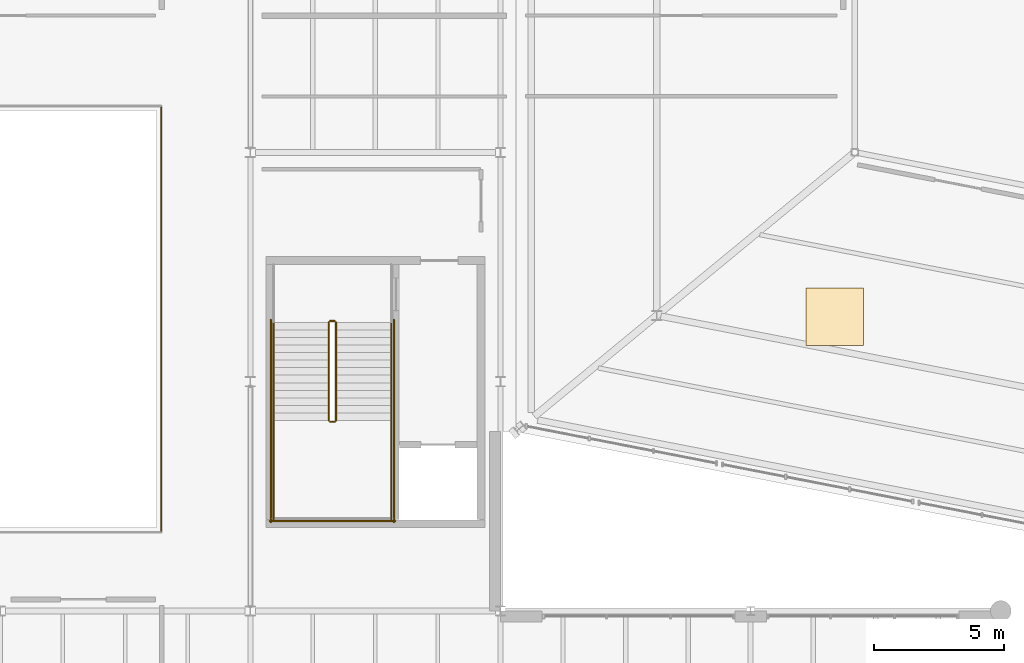
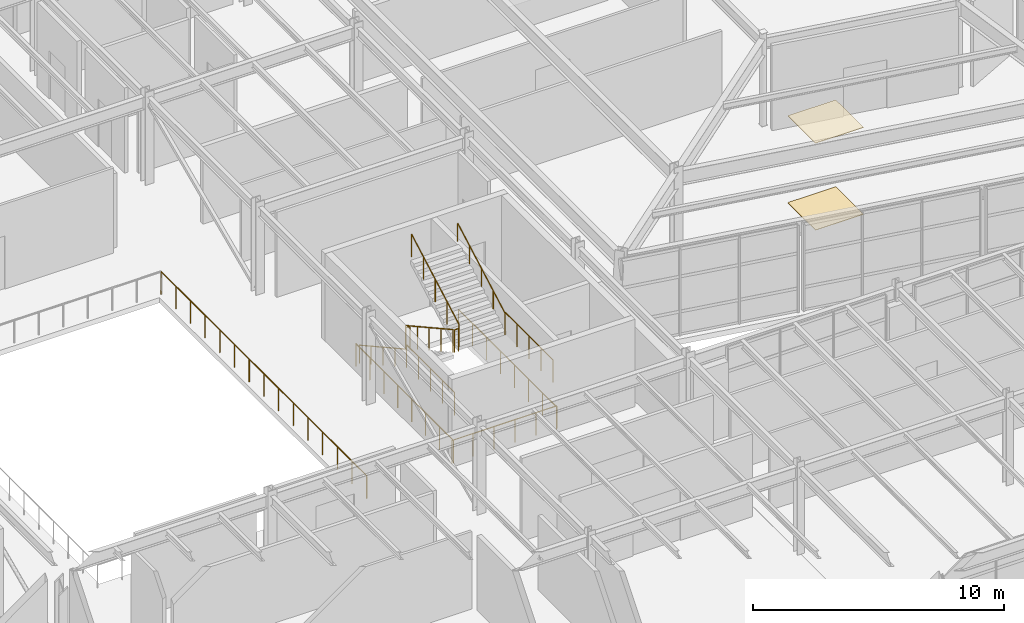
# One storey, part 81 of 88: 12 railings, 2 coverings.
"""IFC4 building model written with IfcOpenShell, lengths in metres."""

from ifc_helpers import new_model, si_unit, direction, frame, origin, origin_2d, place, context, subcontext, project, spatial, rectangle, circle, extrude, material, layer, layer_set, type_object, element, save


model = new_model("IFC4")

# Units and contexts
model_context = context("Model", 3, precision=1e-05, world=origin(), true_north=direction((0.0, 1.0)))
body_context = subcontext(model_context, "Body", "Model", "MODEL_VIEW")
ifc_project = project(units=[si_unit("LENGTHUNIT", "METRE"), si_unit("AREAUNIT", "SQUARE_METRE"), si_unit("VOLUMEUNIT", "CUBIC_METRE"), si_unit("PLANEANGLEUNIT", "RADIAN"), si_unit("MASSUNIT", "GRAM", prefix="KILO")], contexts=[model_context])

# Site, building, storey
site_placement = place(None, origin())
site = spatial("IfcSite", under=ifc_project, at=site_placement, CompositionType="ELEMENT")
building_placement = place(site_placement, origin())
building = spatial("IfcBuilding", under=site, at=building_placement, Name="Sarnbrook Museum", CompositionType="ELEMENT")
storey_placement = place(building_placement, frame((0.0, 0.0, 10.10009765625)))
storey = spatial("IfcBuildingStorey", under=building, at=storey_placement, Name="L02", CompositionType="ELEMENT", Elevation=10.10009765625)

# Coverings
ifc_material_1 = material(Name="Tasmanian Oak Acoustic Timber", Category="wood")
ifc_layer_1 = layer(ifc_material_1, 0.02490234375)
ifc_layer_set_1 = layer_set([ifc_layer_1], Name="Tasmanian Oak Acoustic Timber")
covering_type_1 = type_object("IfcCoveringType", Name="Ceil_Timber25", PredefinedType="CEILING", material=ifc_layer_set_1)
covering_1_placement = place(storey_placement, frame((132.029052734375, 68.089599609375, 4.21484375), z_axis=(0.0, 0.0, 1.0), x_axis=(1.0, 0.0, 0.0)))
element("IfcCovering", 1, at=covering_1_placement, inside=storey, type_object=covering_type_1, Name="Acoustic Ceiling Baffle Panel L02-27", PredefinedType="CEILING", context=body_context, shape_type="SweptSolid", body=[
    extrude(rectangle(XDim=2.199951171875, YDim=2.199951171875, at=origin_2d()), origin(), (0.0, 0.0, 1.0), 0.02490234375),
])
ifc_layer_2 = layer(ifc_material_1, 0.02197265625)
ifc_layer_set_2 = layer_set([ifc_layer_2], Name="Tasmanian Oak Acoustic Timber")
covering_type_2 = type_object("IfcCoveringType", Name="Floor_Oak22", PredefinedType="FLOORING", material=ifc_layer_set_2)
covering_2_placement = place(storey_placement, frame((132.029052734375, 68.089599609375, 0.0), z_axis=(0.0, 0.0, 1.0), x_axis=(1.0, 0.0, 0.0)))
element("IfcCovering", 2, at=covering_2_placement, inside=storey, type_object=covering_type_2, Name="Gallery Floor Finish Panel L02-27", PredefinedType="FLOORING", context=body_context, shape_type="SweptSolid", body=[
    extrude(rectangle(XDim=2.199951171875, YDim=2.199951171875, at=origin_2d()), origin(), (0.0, 0.0, 1.0), 0.02197265625),
])

# Railings
ifc_material_2 = material(Name="Brushed Stainless Steel Grade 316", Category="steel")
ifc_layer_3 = layer(ifc_material_2, 0.050048828125)
ifc_layer_set_3 = layer_set([ifc_layer_3], Name="Brushed Stainless Steel Grade 316")
railing_type_1 = type_object("IfcRailingType", Name="Guard_Int1120", PredefinedType="BALUSTRADE", material=ifc_layer_set_3)
railing_1_placement = place(storey_placement, frame((112.610107421875, 67.8798828125, 0.16064453125)))
element("IfcRailing", 3, at=railing_1_placement, inside=storey, type_object=railing_type_1, Name="L02 ST1 stair guard 1", PredefinedType="BALUSTRADE", context=body_context, shape_type="SweptSolid", body=[
    extrude(circle(Radius=0.02392578125, at=origin_2d()), frame((0.0, 0.0, 1.09619140625), z_axis=(0.0, -0.874645791573, 0.484762559697), x_axis=(1.0, 0.0, 0.0)), (0.0, 0.0, 1.0), 4.31005859375),
    extrude(circle(Radius=0.02099609375, at=origin_2d()), origin(), (0.0, 0.0, 1.0), 1.072021484375),
    extrude(circle(Radius=0.02099609375, at=origin_2d()), frame((0.0, -0.9423828125, 0.5224609375)), (0.0, 0.0, 1.0), 1.072021484375),
    extrude(circle(Radius=0.02099609375, at=origin_2d()), frame((0.0, -1.884765625, 1.044677734375)), (0.0, 0.0, 1.0), 1.072021484375),
    extrude(circle(Radius=0.02099609375, at=origin_2d()), frame((0.0, -2.827392578125, 1.56689453125)), (0.0, 0.0, 1.0), 1.072021484375),
    extrude(circle(Radius=0.02099609375, at=origin_2d()), frame((0.0, -3.769775390625, 2.08935546875)), (0.0, 0.0, 1.0), 1.072021484375),
])
railing_2_placement = place(storey_placement, frame((112.659912109375, 64.06005859375, 2.25)))
element("IfcRailing", 4, at=railing_2_placement, inside=storey, type_object=railing_type_1, Name="L02 ST1 stair guard 2", PredefinedType="BALUSTRADE", context=body_context, shape_type="SweptSolid", body=[
    extrude(circle(Radius=0.02392578125, at=origin_2d()), frame((0.0, 0.0, 1.09619140625), z_axis=(1.0, 0.0, 0.0), x_axis=(0.0, 1.0, 0.0)), (0.0, 0.0, 1.0), 0.18017578125),
    extrude(circle(Radius=0.02099609375, at=origin_2d()), origin(), (0.0, 0.0, 1.0), 1.072021484375),
    extrude(circle(Radius=0.02099609375, at=origin_2d()), frame((0.18017578125, 0.0, 0.0)), (0.0, 0.0, 1.0), 1.072021484375),
])
for number, where, name in (
    (5, (110.489990234375, 64.110107421875, 2.25), "L02 ST1 stair guard 3"),
    (6, (115.010009765625, 64.110107421875, 2.25), "L02 ST1 stair guard 4"),
):
    element("IfcRailing", number, at=place(storey_placement, frame(where)), inside=storey, type_object=railing_type_1, Name=name, PredefinedType="BALUSTRADE", context=body_context, shape_type="SweptSolid", body=[
        extrude(circle(Radius=0.02392578125, at=origin_2d()), frame((0.0, 0.0, 1.09619140625), z_axis=(0.0, -1.0, 0.0), x_axis=(1.0, 0.0, 0.0)), (0.0, 0.0, 1.0), 3.81005859375),
        extrude(circle(Radius=0.02099609375, at=origin_2d()), origin(), (0.0, 0.0, 1.0), 1.072021484375),
        extrude(circle(Radius=0.02099609375, at=origin_2d()), frame((0.0, -0.95263671875, 0.0)), (0.0, 0.0, 1.0), 1.072021484375),
        extrude(circle(Radius=0.02099609375, at=origin_2d()), frame((0.0, -1.905029296875, 0.0)), (0.0, 0.0, 1.0), 1.072021484375),
        extrude(circle(Radius=0.02099609375, at=origin_2d()), frame((0.0, -2.857421875, 0.0)), (0.0, 0.0, 1.0), 1.072021484375),
        extrude(circle(Radius=0.02099609375, at=origin_2d()), frame((0.0, -3.81005859375, 0.0)), (0.0, 0.0, 1.0), 1.072021484375),
    ])
railing_3_placement = place(storey_placement, frame((112.889892578125, 64.110107421875, 2.41064453125)))
element("IfcRailing", 7, at=railing_3_placement, inside=storey, type_object=railing_type_1, Name="L02 ST1 stair guard 6", PredefinedType="BALUSTRADE", context=body_context, shape_type="SweptSolid", body=[
    extrude(circle(Radius=0.02392578125, at=origin_2d()), frame((0.0, 0.0, 1.09619140625), z_axis=(0.0, 0.874645791573, 0.484762559697), x_axis=(-1.0, 0.0, 0.0)), (0.0, 0.0, 1.0), 4.31005859375),
    extrude(circle(Radius=0.02099609375, at=origin_2d()), origin(), (0.0, 0.0, 1.0), 1.072021484375),
    extrude(circle(Radius=0.02099609375, at=origin_2d()), frame((0.0, 0.9423828125, 0.5224609375)), (0.0, 0.0, 1.0), 1.072021484375),
    extrude(circle(Radius=0.02099609375, at=origin_2d()), frame((0.0, 1.884765625, 1.044677734375)), (0.0, 0.0, 1.0), 1.072021484375),
    extrude(circle(Radius=0.02099609375, at=origin_2d()), frame((0.0, 2.827392578125, 1.56689453125)), (0.0, 0.0, 1.0), 1.072021484375),
    extrude(circle(Radius=0.02099609375, at=origin_2d()), frame((0.0, 3.769775390625, 2.08935546875)), (0.0, 0.0, 1.0), 1.072021484375),
])
railing_4_placement = place(storey_placement, frame((112.659912109375, 67.929931640625, 0.0)))
element("IfcRailing", 8, at=railing_4_placement, inside=storey, type_object=railing_type_1, Name="L02 ST1 stair guard 7", PredefinedType="BALUSTRADE", context=body_context, shape_type="SweptSolid", body=[
    extrude(circle(Radius=0.02392578125, at=origin_2d()), frame((0.0, 0.0, 1.09619140625), z_axis=(1.0, 0.0, 0.0), x_axis=(0.0, 1.0, 0.0)), (0.0, 0.0, 1.0), 0.18017578125),
    extrude(circle(Radius=0.02099609375, at=origin_2d()), origin(), (0.0, 0.0, 1.0), 1.072021484375),
    extrude(circle(Radius=0.02099609375, at=origin_2d()), frame((0.18017578125, 0.0, 0.0)), (0.0, 0.0, 1.0), 1.072021484375),
])
for number, where, name in (
    (9, (110.389892578125, 67.97998046875, 0.0), "L02 ST1 stair guard 10"),
    (10, (115.110107421875, 67.97998046875, 0.0), "L02 ST1 stair guard 11"),
):
    element("IfcRailing", number, at=place(storey_placement, frame(where)), inside=storey, type_object=railing_type_1, Name=name, PredefinedType="BALUSTRADE", context=body_context, shape_type="SweptSolid", body=[
        extrude(circle(Radius=0.02392578125, at=origin_2d()), frame((0.0, 0.0, 1.09619140625), z_axis=(0.0, -1.0, 0.0), x_axis=(1.0, 0.0, 0.0)), (0.0, 0.0, 1.0), 7.780029296875),
        extrude(circle(Radius=0.02099609375, at=origin_2d()), origin(), (0.0, 0.0, 1.0), 1.072021484375),
        extrude(circle(Radius=0.02099609375, at=origin_2d()), frame((0.0, -1.111328125, 0.0)), (0.0, 0.0, 1.0), 1.072021484375),
        extrude(circle(Radius=0.02099609375, at=origin_2d()), frame((0.0, -2.222900390625, 0.0)), (0.0, 0.0, 1.0), 1.072021484375),
        extrude(circle(Radius=0.02099609375, at=origin_2d()), frame((0.0, -3.334228515625, 0.0)), (0.0, 0.0, 1.0), 1.072021484375),
        extrude(circle(Radius=0.02099609375, at=origin_2d()), frame((0.0, -4.44580078125, 0.0)), (0.0, 0.0, 1.0), 1.072021484375),
        extrude(circle(Radius=0.02099609375, at=origin_2d()), frame((0.0, -5.55712890625, 0.0)), (0.0, 0.0, 1.0), 1.072021484375),
        extrude(circle(Radius=0.02099609375, at=origin_2d()), frame((0.0, -6.668701171875, 0.0)), (0.0, 0.0, 1.0), 1.072021484375),
        extrude(circle(Radius=0.02099609375, at=origin_2d()), frame((0.0, -7.780029296875, 0.0)), (0.0, 0.0, 1.0), 1.072021484375),
    ])
railing_5_placement = place(storey_placement, frame((110.340087890625, 60.25, 0.0)))
element("IfcRailing", 11, at=railing_5_placement, inside=storey, type_object=railing_type_1, Name="L02 ST1 stair guard 12", PredefinedType="BALUSTRADE", context=body_context, shape_type="SweptSolid", body=[
    extrude(circle(Radius=0.02392578125, at=origin_2d()), frame((0.0, 0.0, 1.09619140625), z_axis=(1.0, 0.0, 0.0), x_axis=(0.0, 1.0, 0.0)), (0.0, 0.0, 1.0), 4.81982421875),
    extrude(circle(Radius=0.02099609375, at=origin_2d()), origin(), (0.0, 0.0, 1.0), 1.072021484375),
    extrude(circle(Radius=0.02099609375, at=origin_2d()), frame((0.9638671875, 0.0, 0.0)), (0.0, 0.0, 1.0), 1.072021484375),
    extrude(circle(Radius=0.02099609375, at=origin_2d()), frame((1.927978515625, 0.0, 0.0)), (0.0, 0.0, 1.0), 1.072021484375),
    extrude(circle(Radius=0.02099609375, at=origin_2d()), frame((2.891845703125, 0.0, 0.0)), (0.0, 0.0, 1.0), 1.072021484375),
    extrude(circle(Radius=0.02099609375, at=origin_2d()), frame((3.85595703125, 0.0, 0.0)), (0.0, 0.0, 1.0), 1.072021484375),
    extrude(circle(Radius=0.02099609375, at=origin_2d()), frame((4.81982421875, 0.0, 0.0)), (0.0, 0.0, 1.0), 1.072021484375),
])
railing_6_placement = place(storey_placement, frame((106.179931640625, 59.820068359375, 0.0)))
element("IfcRailing", 12, at=railing_6_placement, inside=storey, type_object=railing_type_1, Name="Atrium Gallery Balustrade L02-2", PredefinedType="BALUSTRADE", context=body_context, shape_type="SweptSolid", body=[
    extrude(circle(Radius=0.02392578125, at=origin_2d()), frame((0.0, 0.0, 1.09619140625), z_axis=(0.0, 1.0, 0.0), x_axis=(-1.0, 0.0, 0.0)), (0.0, 0.0, 1.0), 16.35986328125),
    extrude(circle(Radius=0.02099609375, at=origin_2d()), origin(), (0.0, 0.0, 1.0), 1.072021484375),
    extrude(circle(Radius=0.02099609375, at=origin_2d()), frame((0.0, 1.16845703125, 0.0)), (0.0, 0.0, 1.0), 1.072021484375),
    extrude(circle(Radius=0.02099609375, at=origin_2d()), frame((0.0, 2.337158203125, 0.0)), (0.0, 0.0, 1.0), 1.072021484375),
    extrude(circle(Radius=0.02099609375, at=origin_2d()), frame((0.0, 3.505615234375, 0.0)), (0.0, 0.0, 1.0), 1.072021484375),
    extrude(circle(Radius=0.02099609375, at=origin_2d()), frame((0.0, 4.67431640625, 0.0)), (0.0, 0.0, 1.0), 1.072021484375),
    extrude(circle(Radius=0.02099609375, at=origin_2d()), frame((0.0, 5.8427734375, 0.0)), (0.0, 0.0, 1.0), 1.072021484375),
    extrude(circle(Radius=0.02099609375, at=origin_2d()), frame((0.0, 7.011474609375, 0.0)), (0.0, 0.0, 1.0), 1.072021484375),
    extrude(circle(Radius=0.02099609375, at=origin_2d()), frame((0.0, 8.179931640625, 0.0)), (0.0, 0.0, 1.0), 1.072021484375),
    extrude(circle(Radius=0.02099609375, at=origin_2d()), frame((0.0, 9.348388671875, 0.0)), (0.0, 0.0, 1.0), 1.072021484375),
    extrude(circle(Radius=0.02099609375, at=origin_2d()), frame((0.0, 10.51708984375, 0.0)), (0.0, 0.0, 1.0), 1.072021484375),
    extrude(circle(Radius=0.02099609375, at=origin_2d()), frame((0.0, 11.685546875, 0.0)), (0.0, 0.0, 1.0), 1.072021484375),
    extrude(circle(Radius=0.02099609375, at=origin_2d()), frame((0.0, 12.854248046875, 0.0)), (0.0, 0.0, 1.0), 1.072021484375),
    extrude(circle(Radius=0.02099609375, at=origin_2d()), frame((0.0, 14.022705078125, 0.0)), (0.0, 0.0, 1.0), 1.072021484375),
    extrude(circle(Radius=0.02099609375, at=origin_2d()), frame((0.0, 15.19140625, 0.0)), (0.0, 0.0, 1.0), 1.072021484375),
    extrude(circle(Radius=0.02099609375, at=origin_2d()), frame((0.0, 16.35986328125, 0.0)), (0.0, 0.0, 1.0), 1.072021484375),
])
ifc_layer_4 = layer(ifc_material_2, 0.048095703125)
ifc_layer_set_4 = layer_set([ifc_layer_4], Name="Brushed Stainless Steel Grade 316")
railing_type_2 = type_object("IfcRailingType", Name="Handrail_920", PredefinedType="HANDRAIL", material=ifc_layer_set_4)
railing_7_placement = place(storey_placement, frame((110.489990234375, 67.8798828125, 0.16064453125)))
element("IfcRailing", 13, at=railing_7_placement, inside=storey, type_object=railing_type_2, Name="L02 ST1 stair handrail 1", PredefinedType="HANDRAIL", context=body_context, shape_type="SweptSolid", body=[
    extrude(circle(Radius=0.02392578125, at=origin_2d()), frame((0.0, 0.0, 0.8857421875), z_axis=(0.0, -0.874645791573, 0.484762559697), x_axis=(1.0, 0.0, 0.0)), (0.0, 0.0, 1.0), 4.31005859375),
    extrude(circle(Radius=0.02099609375, at=origin_2d()), origin(), (0.0, 0.0, 1.0), 0.86181640625),
    extrude(circle(Radius=0.02099609375, at=origin_2d()), frame((0.0, -0.9423828125, 0.5224609375)), (0.0, 0.0, 1.0), 0.86181640625),
    extrude(circle(Radius=0.02099609375, at=origin_2d()), frame((0.0, -1.884765625, 1.044677734375)), (0.0, 0.0, 1.0), 0.86181640625),
    extrude(circle(Radius=0.02099609375, at=origin_2d()), frame((0.0, -2.827392578125, 1.56689453125)), (0.0, 0.0, 1.0), 0.86181640625),
    extrude(circle(Radius=0.02099609375, at=origin_2d()), frame((0.0, -3.769775390625, 2.08935546875)), (0.0, 0.0, 1.0), 0.86181640625),
])
railing_8_placement = place(storey_placement, frame((115.010009765625, 64.110107421875, 2.41064453125)))
element("IfcRailing", 14, at=railing_8_placement, inside=storey, type_object=railing_type_2, Name="L02 ST1 stair handrail 2", PredefinedType="HANDRAIL", context=body_context, shape_type="SweptSolid", body=[
    extrude(circle(Radius=0.02392578125, at=origin_2d()), frame((0.0, 0.0, 0.8857421875), z_axis=(0.0, 0.874645791573, 0.484762559697), x_axis=(-1.0, 0.0, 0.0)), (0.0, 0.0, 1.0), 4.31005859375),
    extrude(circle(Radius=0.02099609375, at=origin_2d()), origin(), (0.0, 0.0, 1.0), 0.86181640625),
    extrude(circle(Radius=0.02099609375, at=origin_2d()), frame((0.0, 0.9423828125, 0.5224609375)), (0.0, 0.0, 1.0), 0.86181640625),
    extrude(circle(Radius=0.02099609375, at=origin_2d()), frame((0.0, 1.884765625, 1.044677734375)), (0.0, 0.0, 1.0), 0.86181640625),
    extrude(circle(Radius=0.02099609375, at=origin_2d()), frame((0.0, 2.827392578125, 1.56689453125)), (0.0, 0.0, 1.0), 0.86181640625),
    extrude(circle(Radius=0.02099609375, at=origin_2d()), frame((0.0, 3.769775390625, 2.08935546875)), (0.0, 0.0, 1.0), 0.86181640625),
])

save(model, "model.ifc")
